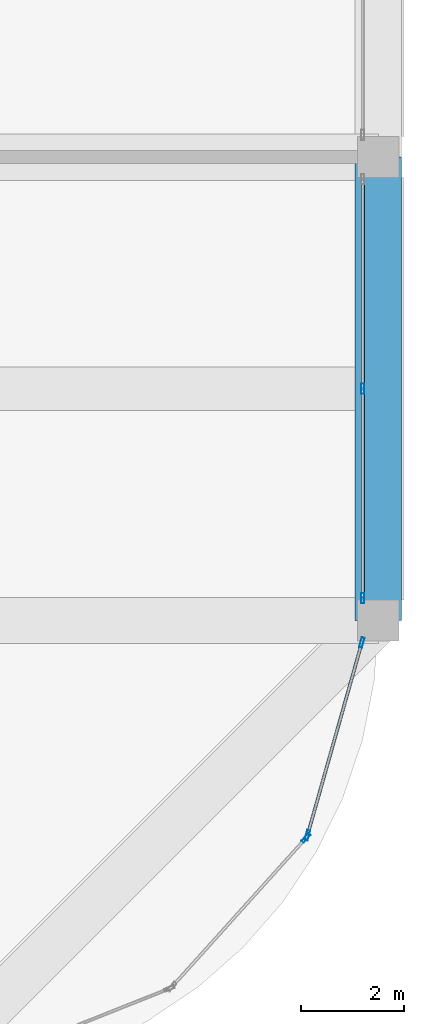
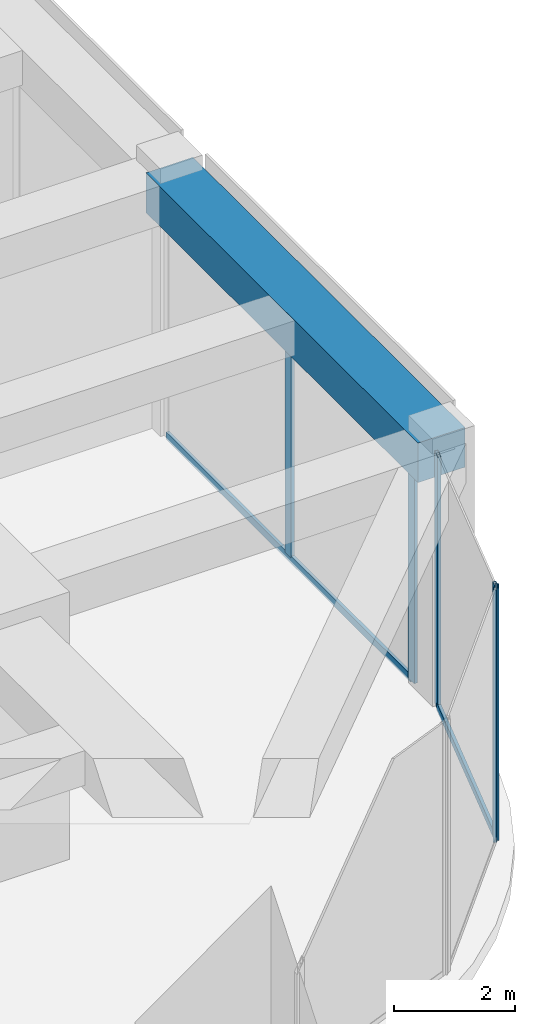
# One storey, part 32 of 45: 7 members, 1 beam, 3 elements without a shape of their own.
"""IFC4 building model written with IfcOpenShell, lengths in metres."""

import ifcopenshell
import ifcopenshell.guid

model = None  # the IFC model being written
_history = None  # IfcOwnerHistory: only IFC2X3 demands one
_inside = {}  # id of a spatial element -> (the spatial element, [elements in it])
_under = {}  # id of a project, library or spatial element -> (it, [spatial elements below it])
_declared = {}  # id of a project -> (the project, [libraries it declares])
_typed = {}  # id of a type object -> (the type object, [elements of that type])
_made_of = {}  # id of a material, layer set ... -> (it, [elements and type objects made of it])


def new_model(schema):
    """Start an empty IFC model of exactly this schema.

    Asked for "IFC4X3", IfcOpenShell would pick the latest addendum, in which some entities
    have other attributes; the version numbers below select the first issue.
    IFC2X3 requires an IfcOwnerHistory on every rooted entity: one is made here for all.
    """
    global model, _history
    if schema == "IFC4X3":
        model = ifcopenshell.file(schema_version=(4, 3, 0, 0))
    else:
        model = ifcopenshell.file(schema=schema)
    _inside.clear()
    _under.clear()
    _declared.clear()
    _typed.clear()
    _made_of.clear()
    _history = None
    if model.schema == "IFC2X3":
        org = make("IfcOrganization", Name="unknown")
        user = make(
            "IfcPersonAndOrganization",
            ThePerson=make("IfcPerson", FamilyName="unknown"),
            TheOrganization=org,
        )
        app = make(
            "IfcApplication",
            ApplicationDeveloper=org,
            Version="unknown",
            ApplicationFullName="unknown",
            ApplicationIdentifier="unknown",
        )
        _history = make(
            "IfcOwnerHistory",
            OwningUser=user,
            OwningApplication=app,
            ChangeAction="ADDED",
            CreationDate=0,
        )
    return model


def make(cls, **values):
    """One entity of the class cls with the attributes given. An attribute that is None is left unset."""
    return model.create_entity(
        cls, **{name: value for name, value in values.items() if value is not None}
    )


def rooted(cls, **values):
    """An entity with a GlobalId (a new one), such as an element, a storey or a relation."""
    return make(cls, GlobalId=ifcopenshell.guid.new(), OwnerHistory=_history, **values)


def si_unit(unit_type, name, prefix=None):
    """IfcSIUnit, for example si_unit("LENGTHUNIT", "METRE", prefix="MILLI")."""
    return make("IfcSIUnit", UnitType=unit_type, Prefix=prefix, Name=name)


def assignment(units):
    """IfcUnitAssignment: the units of a project."""
    return None if units is None else make("IfcUnitAssignment", Units=units)


def point(xyz):
    """IfcCartesianPoint."""
    return None if xyz is None else make("IfcCartesianPoint", Coordinates=xyz)


def direction(xyz):
    """IfcDirection."""
    return None if xyz is None else make("IfcDirection", DirectionRatios=xyz)


def frame(location, z_axis=None, x_axis=None):
    """IfcAxis2Placement3D, a coordinate frame: its origin and axes. An axis left out is left unset."""
    return make(
        "IfcAxis2Placement3D",
        Location=point(location),
        Axis=direction(z_axis),
        RefDirection=direction(x_axis),
    )


def frame_2d(location, x_axis=None):
    """IfcAxis2Placement2D, a coordinate frame in the plane: its origin and x axis."""
    return make(
        "IfcAxis2Placement2D", Location=point(location), RefDirection=direction(x_axis)
    )


def origin():
    """The frame at (0, 0, 0) with its axes left unset."""
    return frame((0.0, 0.0, 0.0))


def origin_2d():
    """The frame at (0, 0) in the plane with its x axis left unset."""
    return frame_2d((0.0, 0.0))


def place(relative_to, where):
    """IfcLocalPlacement: puts the frame where relative to a parent placement (None: the world)."""
    return make(
        "IfcLocalPlacement", PlacementRelTo=relative_to, RelativePlacement=where
    )


def context(
    kind, dimensions, precision=None, world=None, true_north=None, identifier=None
):
    """IfcGeometricRepresentationContext, for example the 3D "Model" context."""
    return make(
        "IfcGeometricRepresentationContext",
        ContextIdentifier=identifier,
        ContextType=kind,
        CoordinateSpaceDimension=dimensions,
        Precision=precision,
        WorldCoordinateSystem=world,
        TrueNorth=true_north,
    )


def subcontext(parent, identifier, kind, view, scale=None):
    """IfcGeometricRepresentationSubContext, for example "Body" below "Model"."""
    return make(
        "IfcGeometricRepresentationSubContext",
        ContextIdentifier=identifier,
        ContextType=kind,
        ParentContext=parent,
        TargetScale=scale,
        TargetView=view,
    )


def project(units=None, contexts=None):
    """IfcProject with its units and contexts."""
    return rooted(
        "IfcProject",
        Name="project",
        RepresentationContexts=contexts,
        UnitsInContext=assignment(units),
    )


def spatial(cls, under=None, at=None, **own):
    """A site, building, storey or space (cls), placed at a placement, below another one or the project."""
    s = rooted(cls, ObjectPlacement=at, **own)
    if under is not None:
        _under.setdefault(under.id(), (under, []))[1].append(s)
    return s


def profile(cls, at=None, kind="AREA", **sizes):
    """A parametric profile (cls). Its sizes go by their IFC names, for example OverallWidth=200.0."""
    return make(cls, ProfileType=kind, Position=at, **sizes)


def rectangle(**sizes):
    """IfcRectangleProfileDef."""
    return profile("IfcRectangleProfileDef", **sizes)


def hollow_rectangle(**sizes):
    """IfcRectangleHollowProfileDef."""
    return profile("IfcRectangleHollowProfileDef", **sizes)


def extrude(swept, where, along, depth):
    """IfcExtrudedAreaSolid: the profile swept, set in the frame where, extruded along a direction by depth."""
    return make(
        "IfcExtrudedAreaSolid",
        SweptArea=swept,
        Position=where,
        ExtrudedDirection=direction(along),
        Depth=depth,
    )


def shape(context_of_items, identifier, shape_type, items):
    """IfcShapeRepresentation: the items that make up one representation, for example the "Body"."""
    return make(
        "IfcShapeRepresentation",
        ContextOfItems=context_of_items,
        RepresentationIdentifier=identifier,
        RepresentationType=shape_type,
        Items=items,
    )


def material(Name=None, Category=None):
    """IfcMaterial."""
    return make("IfcMaterial", Name=Name, Category=Category)


def material_profile(
    of_material, cross_section, Name=None, Category=None, Priority=None
):
    """IfcMaterialProfile: a cross section and its material."""
    return make(
        "IfcMaterialProfile",
        Name=Name,
        Material=of_material,
        Profile=cross_section,
        Priority=Priority,
        Category=Category,
    )


def profile_set(profiles, Name=None, composite=None):
    """IfcMaterialProfileSet."""
    return make(
        "IfcMaterialProfileSet",
        Name=Name,
        MaterialProfiles=profiles,
        CompositeProfile=composite,
    )


def made_of(thing, what):
    """Note that an element or type object is made of a material, layer set ...; save() writes the relation."""
    if what is not None:
        _made_of.setdefault(what.id(), (what, []))[1].append(thing)
    return thing


def type_object(cls, material=None, **own):
    """A type object (cls), such as IfcWallType, which elements share."""
    return made_of(rooted(cls, **own), material)


def element(
    cls,
    number,
    at=None,
    inside=None,
    cuts=None,
    type_object=None,
    material=None,
    context=None,
    identifier="Body",
    shape_type=None,
    held_by="IfcProductDefinitionShape",
    body=None,
    shapes=None,
    **own,
):
    """One element of the class cls, such as IfcWall. Its Tag is "e" and its number.

    at: its placement. inside: the storey or other place that contains it. cuts: it is an
    opening in that element (IfcRelVoidsElement). A single representation is given by context,
    identifier, shape_type and body (its items); several are given by shapes. held_by: the class
    of the entity that holds the representations. save() writes the other relations.
    """
    e = rooted(cls, Tag="e%d" % number, ObjectPlacement=at, **own)
    if body is not None:
        shapes = [shape(context, identifier, shape_type, body)]
    if shapes is not None:
        e.Representation = make(held_by, Representations=shapes)
    if inside is not None:
        _inside.setdefault(inside.id(), (inside, []))[1].append(e)
    if cuts is not None:
        rooted(
            "IfcRelVoidsElement", RelatingBuildingElement=cuts, RelatedOpeningElement=e
        )
    if type_object is not None:
        _typed.setdefault(type_object.id(), (type_object, []))[1].append(e)
    return made_of(e, material)


def aggregate(whole, parts):
    """IfcRelAggregates: a whole, such as a stair, and the parts it consists of."""
    return rooted("IfcRelAggregates", RelatingObject=whole, RelatedObjects=parts)


def save(model, path):
    """Write the relations noted so far, then the file.

    IfcRelAggregates (storeys below a building ...), IfcRelContainedInSpatialStructure (elements
    in a storey), IfcRelDefinesByType, IfcRelAssociatesMaterial and IfcRelDeclares: one each for
    every whole, place, type object, material and project.
    """
    for whole, parts in _under.values():
        aggregate(whole, parts)
    for where, things in _inside.values():
        rooted(
            "IfcRelContainedInSpatialStructure",
            RelatedElements=things,
            RelatingStructure=where,
        )
    for kind, things in _typed.values():
        rooted("IfcRelDefinesByType", RelatedObjects=things, RelatingType=kind)
    for what, things in _made_of.values():
        rooted("IfcRelAssociatesMaterial", RelatedObjects=things, RelatingMaterial=what)
    for by, libraries in _declared.values():
        rooted("IfcRelDeclares", RelatingContext=by, RelatedDefinitions=libraries)
    model.write(path)


model = new_model("IFC4")

# Units and contexts
model_context = context("Model", 3, precision=1e-05, world=origin(), true_north=direction((0.0, 1.0)))
body_context = subcontext(model_context, "Body", "Model", "MODEL_VIEW")
ifc_project = project(units=[si_unit("LENGTHUNIT", "METRE"), si_unit("AREAUNIT", "SQUARE_METRE"), si_unit("VOLUMEUNIT", "CUBIC_METRE"), si_unit("PLANEANGLEUNIT", "RADIAN"), si_unit("MASSUNIT", "GRAM", prefix="KILO")], contexts=[model_context])

# Site, building, storey
site_placement = place(None, origin())
site = spatial("IfcSite", under=ifc_project, at=site_placement, CompositionType="ELEMENT")
building_placement = place(site_placement, origin())
building = spatial("IfcBuilding", under=site, at=building_placement, Name="Zorevar Civic Tower", CompositionType="ELEMENT")
storey_placement = place(building_placement, frame((0.0, 0.0, 5.39990234375)))
storey = spatial("IfcBuildingStorey", under=building, at=storey_placement, Name="L01", CompositionType="ELEMENT", Elevation=5.39990234375)

# Curtain wall, members
ifc_material_1 = material(Name="Dark grey solar-control glass in black aluminium frame", Category="aluminium")
curtain_wall_type = type_object("IfcCurtainWallType", Name="Curtain wall CW1 podium", PredefinedType="NOTDEFINED", material=ifc_material_1)
curtain_wall_1_placement = place(storey_placement, origin())
curtain_wall_1 = element("IfcCurtainWall", 1, at=curtain_wall_1_placement, inside=storey, type_object=curtain_wall_type, Name="CW1 L01", PredefinedType="NOTDEFINED")
ifc_material_2 = material(Name="Aluminium, black anodised", Category="aluminium")
ifc_material_profile_1 = material_profile(ifc_material_2, hollow_rectangle(XDim=0.06005859375, YDim=0.199951171875, WallThickness=0.00390625, at=origin_2d()), Name="AL 200x60x4")
ifc_profile_set_1 = profile_set([ifc_material_profile_1], Name="Aluminium, black anodised")
member_type_1 = type_object("IfcMemberType", Name="CW1 mullion AL 200x60x4", PredefinedType="MULLION", material=ifc_profile_set_1)
member_1_placement = place(storey_placement, frame((71.699951171875, 9.429931640625, 0.0), z_axis=(0.0, 0.0, 1.0), x_axis=(-1.0, 0.0, 0.0)))
member_1 = element("IfcMember", 2, at=member_1_placement, type_object=member_type_1, Name="CW1 mullion 1", PredefinedType="MULLION", context=body_context, shape_type="SweptSolid", body=[
    extrude(hollow_rectangle(XDim=0.06005859375, YDim=0.199951171875, WallThickness=0.00390625, at=origin_2d()), origin(), (0.0, 0.0, 1.0), 4.300048828125),
])
member_2_placement = place(storey_placement, frame((71.699951171875, 13.5, 0.06005859375), z_axis=(0.0, 0.0, 1.0), x_axis=(-1.0, 0.0, 0.0)))
member_2 = element("IfcMember", 3, at=member_2_placement, type_object=member_type_1, Name="CW1 mullion 2", PredefinedType="MULLION", context=body_context, shape_type="SweptSolid", body=[
    extrude(hollow_rectangle(XDim=0.06005859375, YDim=0.199951171875, WallThickness=0.00390625, at=origin_2d()), origin(), (0.0, 0.0, 1.0), 4.239990234375),
])

# Curtain wall, member
curtain_wall_2_placement = place(storey_placement, origin())
curtain_wall_2 = element("IfcCurtainWall", 4, at=curtain_wall_2_placement, inside=storey, type_object=curtain_wall_type, Name="CW1 L01", PredefinedType="NOTDEFINED")
member_3_placement = place(storey_placement, frame((70.596923828125, 4.774169921875, 0.0), z_axis=(0.0, 0.0, 1.0), x_axis=(-0.742899688263, 0.669402758568, 0.0)))
member_3 = element("IfcMember", 5, at=member_3_placement, type_object=member_type_1, Name="CW1 mullion 2", PredefinedType="MULLION", context=body_context, shape_type="SweptSolid", body=[
    extrude(hollow_rectangle(XDim=0.06005859375, YDim=0.199951171875, WallThickness=0.00390625, at=origin_2d()), origin(), (0.0, 0.0, 1.0), 5.10009765625),
])
aggregate(curtain_wall_2, [member_3])

# Curtain wall, members
curtain_wall_3_placement = place(storey_placement, origin())
curtain_wall_3 = element("IfcCurtainWall", 6, at=curtain_wall_3_placement, inside=storey, type_object=curtain_wall_type, Name="CW1 L01", PredefinedType="NOTDEFINED")
member_4_placement = place(storey_placement, frame((70.625244140625, 4.825439453125, 0.0), z_axis=(0.0, 0.0, 1.0), x_axis=(-0.962390725943, 0.271669082929, 0.0)))
member_4 = element("IfcMember", 7, at=member_4_placement, type_object=member_type_1, Name="CW1 mullion 1", PredefinedType="MULLION", context=body_context, shape_type="SweptSolid", body=[
    extrude(hollow_rectangle(XDim=0.06005859375, YDim=0.199951171875, WallThickness=0.00390625, at=origin_2d()), origin(), (0.0, 0.0, 1.0), 5.10009765625),
])
member_5_placement = place(storey_placement, frame((71.6826171875, 8.571044921875, 0.0), z_axis=(0.0, 0.0, 1.0), x_axis=(-0.962390725943, 0.271669082929, 0.0)))
member_5 = element("IfcMember", 8, at=member_5_placement, type_object=member_type_1, Name="CW1 mullion 2", PredefinedType="MULLION", context=body_context, shape_type="SweptSolid", body=[
    extrude(hollow_rectangle(XDim=0.06005859375, YDim=0.199951171875, WallThickness=0.00390625, at=origin_2d()), origin(), (0.0, 0.0, 1.0), 5.10009765625),
])

# Member
ifc_material_3 = material(Name="Aluminium, black anodised", Category="aluminium")
ifc_material_profile_2 = material_profile(ifc_material_3, hollow_rectangle(XDim=0.06005859375, YDim=0.14990234375, WallThickness=0.00390625, at=origin_2d()), Name="AL 150x60x4")
ifc_profile_set_2 = profile_set([ifc_material_profile_2], Name="Aluminium, black anodised")
member_type_2 = type_object("IfcMemberType", Name="CW1 transom AL 150x60x4", PredefinedType="USERDEFINED", material=ifc_profile_set_2)
member_6_placement = place(storey_placement, frame((71.699951171875, 9.4599609375, 0.030029296875), z_axis=(0.0, 1.0, 0.0), x_axis=(-1.0, 0.0, 0.0)))
member_6 = element("IfcMember", 9, at=member_6_placement, type_object=member_type_2, Name="CW1 sill transom", ObjectType="TRANSOM", PredefinedType="USERDEFINED", context=body_context, shape_type="SweptSolid", body=[
    extrude(hollow_rectangle(XDim=0.06005859375, YDim=0.14990234375, WallThickness=0.00390625, at=origin_2d()), origin(), (0.0, 0.0, 1.0), 8.080078125),
])

aggregate(curtain_wall_1, [member_1, member_2, member_6])

member_7_placement = place(storey_placement, frame((70.63330078125, 4.854248046875, 0.030029296875), z_axis=(0.271656874729, 0.962394172059, 0.0), x_axis=(-0.962394172059, 0.271656874729, 0.0)))
member_7 = element("IfcMember", 10, at=member_7_placement, type_object=member_type_2, Name="CW1 sill transom", ObjectType="TRANSOM", PredefinedType="USERDEFINED", context=body_context, shape_type="SweptSolid", body=[
    extrude(hollow_rectangle(XDim=0.06005859375, YDim=0.14990234375, WallThickness=0.00390625, at=origin_2d()), origin(), (0.0, 0.0, 1.0), 3.83203125),
])

aggregate(curtain_wall_3, [member_4, member_5, member_7])

# Beam
ifc_material_4 = material(Name="Concrete C50/60", Category="concrete")
ifc_material_profile_3 = material_profile(ifc_material_4, rectangle(XDim=0.89990234375, YDim=0.800048828125, at=origin_2d()), Name="RC 900x800")
ifc_profile_set_3 = profile_set([ifc_material_profile_3], Name="Concrete C50/60")
beam_type = type_object("IfcBeamType", Name="Edge beam RC 900x800", PredefinedType="SPANDREL", material=ifc_profile_set_3)
beam_placement = place(storey_placement, frame((72.0, 9.0, 4.7001953125), z_axis=(0.0, 1.0, 0.0), x_axis=(-1.0, 0.0, 0.0)))
element("IfcBeam", 11, at=beam_placement, inside=storey, type_object=beam_type, Name="Edge beam L02", PredefinedType="SPANDREL", context=body_context, shape_type="SweptSolid", body=[
    extrude(rectangle(XDim=0.89990234375, YDim=0.800048828125, at=origin_2d()), origin(), (0.0, 0.0, 1.0), 9.0),
])

save(model, "model.ifc")
